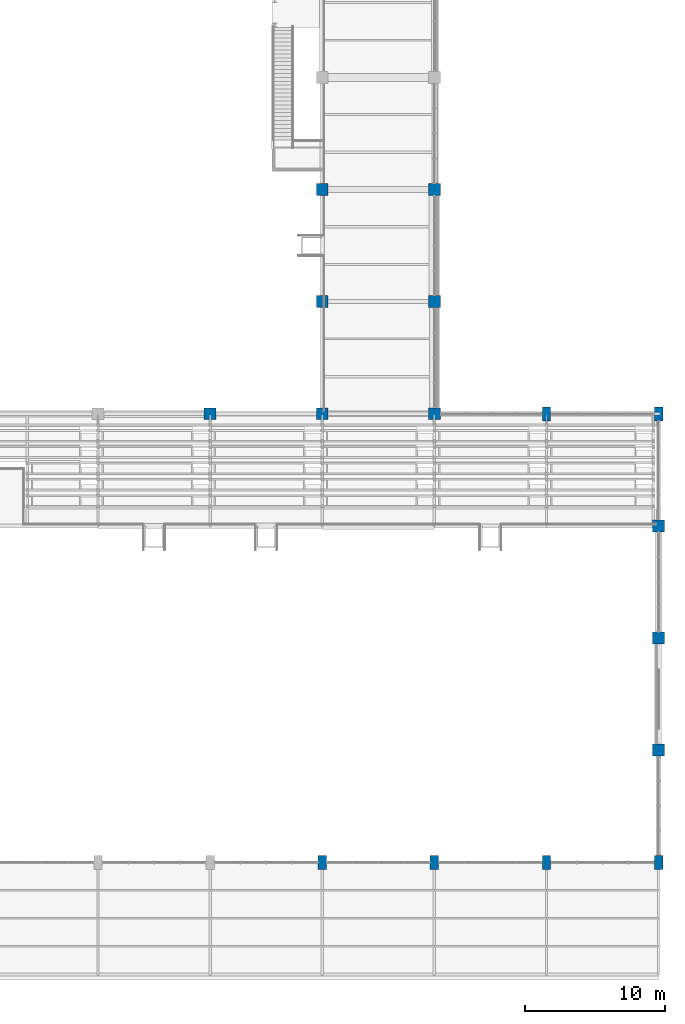
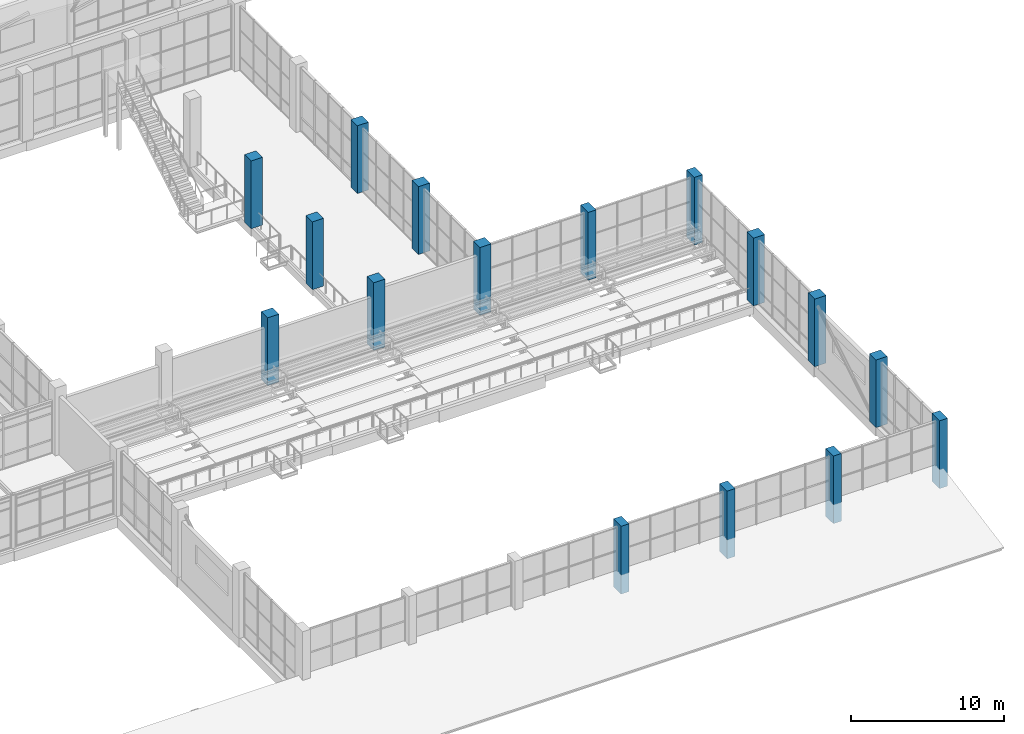
# One storey, part 6 of 122: 16 columns.
"""IFC4 building model written with IfcOpenShell, lengths in metres."""

from ifc_helpers import new_model, si_unit, direction, frame, origin, origin_2d, place, context, subcontext, project, spatial, rectangle, extrude, material, material_profile, profile_set, type_object, element, save


model = new_model("IFC4")

# Units and contexts
model_context = context("Model", 3, precision=1e-05, world=origin(), true_north=direction((0.0, 1.0)))
body_context = subcontext(model_context, "Body", "Model", "MODEL_VIEW")
ifc_project = project(units=[si_unit("LENGTHUNIT", "METRE"), si_unit("AREAUNIT", "SQUARE_METRE"), si_unit("VOLUMEUNIT", "CUBIC_METRE"), si_unit("PLANEANGLEUNIT", "RADIAN"), si_unit("MASSUNIT", "GRAM", prefix="KILO")], contexts=[model_context])

# Site, building, storey
site_placement = place(None, origin())
site = spatial("IfcSite", under=ifc_project, at=site_placement, CompositionType="ELEMENT")
building_placement = place(site_placement, origin())
building = spatial("IfcBuilding", under=site, at=building_placement, Name="Tenunan Teduh Sports Hall", CompositionType="ELEMENT")
storey_placement = place(building_placement, frame((0.0, 0.0, 5.39990234375)))
storey = spatial("IfcBuildingStorey", under=building, at=storey_placement, Name="L01", CompositionType="ELEMENT", Elevation=5.39990234375)

# Columns
ifc_material_1 = material(Name="Concrete C40/50", Category="concrete")
ifc_material_profile_1 = material_profile(ifc_material_1, rectangle(XDim=0.60009765625, YDim=1.0, at=origin_2d()), Name="RC 600x1000")
ifc_profile_set_1 = profile_set([ifc_material_profile_1], Name="Concrete C40/50")
column_type_1 = type_object("IfcColumnType", Name="COL-RC-600x1000", PredefinedType="COLUMN", material=ifc_profile_set_1)
for number, where, z_axis, x_axis, name in (
    (1, (146.0, 14.0, 0.0), (0.0, 0.0, 1.0), (1.0, 0.0, 0.0), "COL-C-16-L01-187"),
    (2, (154.0, 14.0, 0.0), (0.0, 0.0, 1.0), (1.0, 0.0, 0.0), "COL-C-16-L01-200"),
    (3, (162.0, 14.0, 0.0), (0.0, 0.0, 1.0), (1.0, 0.0, 0.0), "COL-C-16-L01-213"),
    (4, (162.0, 46.0, 0.0), (0.0, 0.0, 1.0), (1.0, 0.0, 0.0), "COL-C-16-L01-215"),
    (5, (170.0, 14.0, 0.0), (0.0, 0.0, 1.0), (1.0, 0.0, 0.0), "COL-C-16-L01-221"),
    (6, (170.0, 46.0, 0.0), (0.0, 0.0, 1.0), (1.0, 0.0, 0.0), "COL-C-16-L01-225"),
):
    element("IfcColumn", number, at=place(storey_placement, frame(where, z_axis=z_axis, x_axis=x_axis)), inside=storey, type_object=column_type_1, Name=name, PredefinedType="COLUMN", context=body_context, shape_type="SweptSolid", body=[
        extrude(rectangle(XDim=0.60009765625, YDim=1.0, at=origin_2d()), origin(), (0.0, 0.0, 1.0), 5.400146484375),
    ])
ifc_material_2 = material(Name="Concrete C40/50", Category="concrete")
ifc_material_profile_2 = material_profile(ifc_material_2, rectangle(XDim=0.85009765625, YDim=0.85009765625, at=origin_2d()), Name="RC 850x850")
ifc_profile_set_2 = profile_set([ifc_material_profile_2], Name="Concrete C40/50")
column_type_2 = type_object("IfcColumnType", Name="COL-RC-850", PredefinedType="COLUMN", material=ifc_profile_set_2)
for number, where, z_axis, x_axis, name in (
    (7, (138.0, 46.0, 0.0), (0.0, 0.0, 1.0), (1.0, 0.0, 0.0), "COL-C-04-L01-179"),
    (8, (146.0, 46.0, 0.0), (0.0, 0.0, 1.0), (1.0, 0.0, 0.0), "COL-C-04-L01-189"),
    (9, (146.0, 54.0, 0.0), (0.0, 0.0, 1.0), (1.0, 0.0, 0.0), "COL-C-04-L01-190"),
    (10, (146.0, 62.0, 0.0), (0.0, 0.0, 1.0), (1.0, 0.0, 0.0), "COL-C-04-L01-191"),
    (11, (154.0, 46.0, 0.0), (0.0, 0.0, 1.0), (1.0, 0.0, 0.0), "COL-C-04-L01-202"),
    (12, (154.0, 54.0, 0.0), (0.0, 0.0, 1.0), (1.0, 0.0, 0.0), "COL-C-04-L01-203"),
    (13, (154.0, 62.0, 0.0), (0.0, 0.0, 1.0), (1.0, 0.0, 0.0), "COL-C-04-L01-204"),
    (14, (170.0, 22.0, 0.0), (0.0, 0.0, 1.0), (1.0, 0.0, 0.0), "COL-C-04-L01-222"),
    (15, (170.0, 30.0, 0.0), (0.0, 0.0, 1.0), (1.0, 0.0, 0.0), "COL-C-04-L01-223"),
    (16, (170.0, 38.0, 0.0), (0.0, 0.0, 1.0), (1.0, 0.0, 0.0), "COL-C-04-L01-224"),
):
    element("IfcColumn", number, at=place(storey_placement, frame(where, z_axis=z_axis, x_axis=x_axis)), inside=storey, type_object=column_type_2, Name=name, PredefinedType="COLUMN", context=body_context, shape_type="SweptSolid", body=[
        extrude(rectangle(XDim=0.85009765625, YDim=0.85009765625, at=origin_2d()), origin(), (0.0, 0.0, 1.0), 5.400146484375),
    ])

save(model, "model.ifc")
